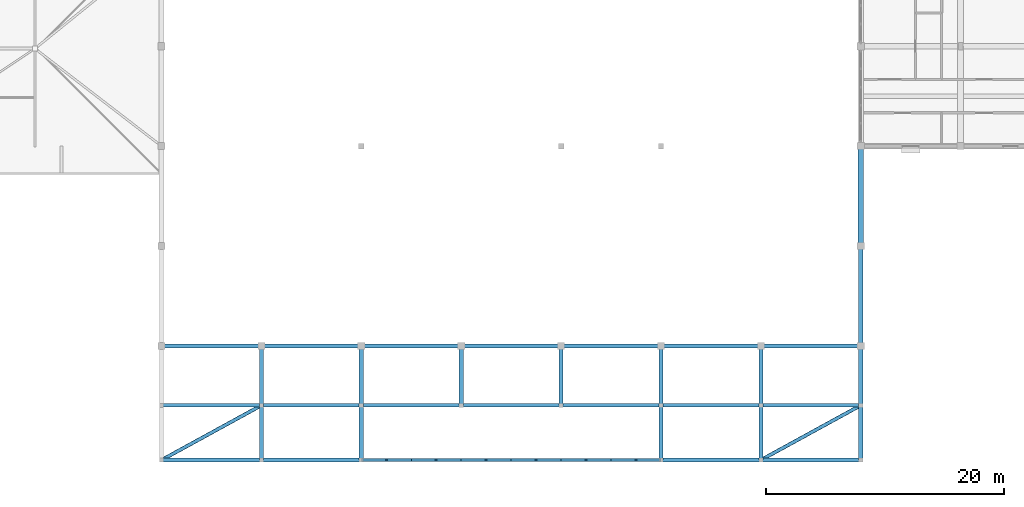
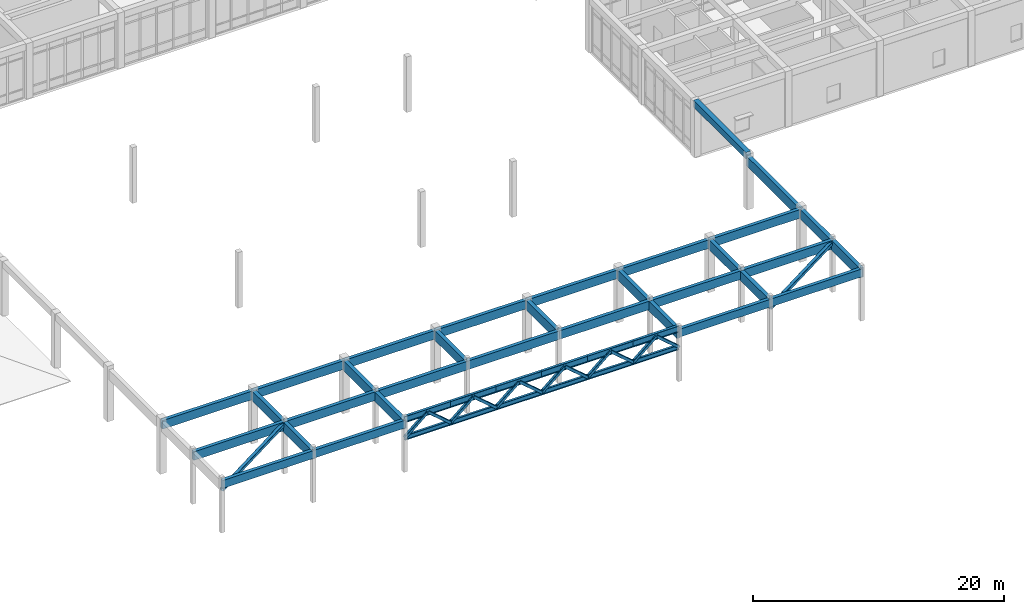
# One storey, part 9 of 89: 44 beams, 14 members.
"""IFC4 building model written with IfcOpenShell, lengths in metres."""

from ifc_helpers import new_model, si_unit, direction, frame, origin, origin_2d, place, context, subcontext, project, spatial, rectangle, hollow_rectangle, i_section, extrude, material, material_profile, profile_set, type_object, element, save


model = new_model("IFC4")

# Units and contexts
model_context = context("Model", 3, precision=1e-05, world=origin(), true_north=direction((0.0, 1.0)))
body_context = subcontext(model_context, "Body", "Model", "MODEL_VIEW")
ifc_project = project(units=[si_unit("LENGTHUNIT", "METRE"), si_unit("AREAUNIT", "SQUARE_METRE"), si_unit("VOLUMEUNIT", "CUBIC_METRE"), si_unit("PLANEANGLEUNIT", "RADIAN"), si_unit("MASSUNIT", "GRAM", prefix="KILO")], contexts=[model_context])

# Site, building, storey
site_placement = place(None, origin())
site = spatial("IfcSite", under=ifc_project, at=site_placement, CompositionType="ELEMENT")
building_placement = place(site_placement, origin())
building = spatial("IfcBuilding", under=site, at=building_placement, Name="Varncliffe General Hospital", CompositionType="ELEMENT")
storey_placement = place(building_placement, frame((0.0, 0.0, 10.800048828125)))
storey = spatial("IfcBuildingStorey", under=building, at=storey_placement, Name="L02", CompositionType="ELEMENT", Elevation=10.800048828125)

# Beams
ifc_material_1 = material(Name="Glulam GL28h (CSA O86 24f-EX, 30 MPa)", Category="wood")
ifc_material_profile_1 = material_profile(ifc_material_1, rectangle(XDim=0.31494140625, YDim=0.760009765625, at=origin_2d()), Name="GL 315x760")
ifc_profile_set_1 = profile_set([ifc_material_profile_1], Name="Glulam GL28h (CSA O86 24f-EX, 30 MPa)")
beam_type_1 = type_object("IfcBeamType", Name="Beam B41 (Ext GL 315x760)", PredefinedType="BEAM", material=ifc_profile_set_1)
beam_1_placement = place(storey_placement, frame((58.800048828125, -2.39990234375, 4.659912109375), z_axis=(1.0, 0.0, 0.0), x_axis=(0.0, 1.0, 0.0)))
element("IfcBeam", 1, at=beam_1_placement, inside=storey, type_object=beam_type_1, Name="L02 Primary Beam B41-1", PredefinedType="BEAM", context=body_context, shape_type="SweptSolid", body=[
    extrude(rectangle(XDim=0.31494140625, YDim=0.760009765625, at=origin_2d()), origin(), (0.0, 0.0, 1.0), 8.39990234375),
])
beam_2_placement = place(storey_placement, frame((67.199951171875, -2.39990234375, 4.659912109375), z_axis=(1.0, 0.0, 0.0), x_axis=(0.0, 1.0, 0.0)))
element("IfcBeam", 2, at=beam_2_placement, inside=storey, type_object=beam_type_1, Name="L02 Primary Beam B41-2", PredefinedType="BEAM", context=body_context, shape_type="SweptSolid", body=[
    extrude(rectangle(XDim=0.31494140625, YDim=0.760009765625, at=origin_2d()), origin(), (0.0, 0.0, 1.0), 8.400146484375),
])
beam_3_placement = place(storey_placement, frame((100.800048828125, -2.39990234375, 4.659912109375), z_axis=(1.0, 0.0, 0.0), x_axis=(0.0, 1.0, 0.0)))
element("IfcBeam", 3, at=beam_3_placement, inside=storey, type_object=beam_type_1, Name="L02 Primary Beam B41-3", PredefinedType="BEAM", context=body_context, shape_type="SweptSolid", body=[
    extrude(rectangle(XDim=0.31494140625, YDim=0.760009765625, at=origin_2d()), origin(), (0.0, 0.0, 1.0), 8.39990234375),
])
beam_4_placement = place(storey_placement, frame((109.199951171875, -2.39990234375, 4.659912109375), z_axis=(1.0, 0.0, 0.0), x_axis=(0.0, 1.0, 0.0)))
element("IfcBeam", 4, at=beam_4_placement, inside=storey, type_object=beam_type_1, Name="L02 Primary Beam B41-4", PredefinedType="BEAM", context=body_context, shape_type="SweptSolid", body=[
    extrude(rectangle(XDim=0.31494140625, YDim=0.760009765625, at=origin_2d()), origin(), (0.0, 0.0, 1.0), 8.400146484375),
])
ifc_material_profile_2 = material_profile(ifc_material_1, rectangle(XDim=0.31494140625, YDim=0.8359375, at=origin_2d()), Name="GL 315x836")
ifc_profile_set_2 = profile_set([ifc_material_profile_2], Name="Glulam GL28h (CSA O86 24f-EX, 30 MPa)")
beam_type_2 = type_object("IfcBeamType", Name="Beam B74 (Int GL 315x836)", PredefinedType="BEAM", material=ifc_profile_set_2)
beam_5_placement = place(storey_placement, frame((58.800048828125, 2.199951171875, 4.6220703125), z_axis=(1.0, 0.0, 0.0), x_axis=(0.0, 1.0, 0.0)))
element("IfcBeam", 5, at=beam_5_placement, inside=storey, type_object=beam_type_2, Name="L02 Primary Beam B74-8", PredefinedType="BEAM", context=body_context, shape_type="SweptSolid", body=[
    extrude(rectangle(XDim=0.31494140625, YDim=0.8359375, at=origin_2d()), origin(), (0.0, 0.0, 1.0), 8.39990234375),
])
beam_6_placement = place(storey_placement, frame((67.199951171875, 2.199951171875, 4.6220703125), z_axis=(1.0, 0.0, 0.0), x_axis=(0.0, 1.0, 0.0)))
element("IfcBeam", 6, at=beam_6_placement, inside=storey, type_object=beam_type_2, Name="L02 Primary Beam B74-9", PredefinedType="BEAM", context=body_context, shape_type="SweptSolid", body=[
    extrude(rectangle(XDim=0.31494140625, YDim=0.8359375, at=origin_2d()), origin(), (0.0, 0.0, 1.0), 8.400146484375),
])
for number, where, z_axis, x_axis, name in (
    (7, (75.60009765625, 2.199951171875, 4.6220703125), (1.0, 0.0, 0.0), (0.0, 1.0, 0.0), "L02 Primary Beam B74-10"),
    (8, (84.0, 2.199951171875, 4.6220703125), (1.0, 0.0, 0.0), (0.0, 1.0, 0.0), "L02 Primary Beam B74-11"),
):
    element("IfcBeam", number, at=place(storey_placement, frame(where, z_axis=z_axis, x_axis=x_axis)), inside=storey, type_object=beam_type_2, Name=name, PredefinedType="BEAM", context=body_context, shape_type="SweptSolid", body=[
        extrude(rectangle(XDim=0.31494140625, YDim=0.8359375, at=origin_2d()), origin(), (0.0, 0.0, 1.0), 8.39990234375),
    ])
beam_7_placement = place(storey_placement, frame((92.39990234375, 2.199951171875, 4.6220703125), z_axis=(1.0, 0.0, 0.0), x_axis=(0.0, 1.0, 0.0)))
element("IfcBeam", 9, at=beam_7_placement, inside=storey, type_object=beam_type_2, Name="L02 Primary Beam B74-12", PredefinedType="BEAM", context=body_context, shape_type="SweptSolid", body=[
    extrude(rectangle(XDim=0.31494140625, YDim=0.8359375, at=origin_2d()), origin(), (0.0, 0.0, 1.0), 8.400146484375),
])
beam_8_placement = place(storey_placement, frame((100.800048828125, 2.199951171875, 4.6220703125), z_axis=(1.0, 0.0, 0.0), x_axis=(0.0, 1.0, 0.0)))
element("IfcBeam", 10, at=beam_8_placement, inside=storey, type_object=beam_type_2, Name="L02 Primary Beam B74-13", PredefinedType="BEAM", context=body_context, shape_type="SweptSolid", body=[
    extrude(rectangle(XDim=0.31494140625, YDim=0.8359375, at=origin_2d()), origin(), (0.0, 0.0, 1.0), 8.39990234375),
])
beam_9_placement = place(storey_placement, frame((109.199951171875, 2.199951171875, 4.6220703125), z_axis=(1.0, 0.0, 0.0), x_axis=(0.0, 1.0, 0.0)))
element("IfcBeam", 11, at=beam_9_placement, inside=storey, type_object=beam_type_2, Name="L02 Primary Beam B74-14", PredefinedType="BEAM", context=body_context, shape_type="SweptSolid", body=[
    extrude(rectangle(XDim=0.31494140625, YDim=0.8359375, at=origin_2d()), origin(), (0.0, 0.0, 1.0), 8.400146484375),
])
beam_10_placement = place(storey_placement, frame((58.800048828125, 7.199951171875, 4.6220703125), z_axis=(1.0, 0.0, 0.0), x_axis=(0.0, 1.0, 0.0)))
element("IfcBeam", 12, at=beam_10_placement, inside=storey, type_object=beam_type_2, Name="L02 Primary Beam B74-15", PredefinedType="BEAM", context=body_context, shape_type="SweptSolid", body=[
    extrude(rectangle(XDim=0.31494140625, YDim=0.8359375, at=origin_2d()), origin(), (0.0, 0.0, 1.0), 8.39990234375),
])
beam_11_placement = place(storey_placement, frame((67.199951171875, 7.199951171875, 4.6220703125), z_axis=(1.0, 0.0, 0.0), x_axis=(0.0, 1.0, 0.0)))
element("IfcBeam", 13, at=beam_11_placement, inside=storey, type_object=beam_type_2, Name="L02 Primary Beam B74-16", PredefinedType="BEAM", context=body_context, shape_type="SweptSolid", body=[
    extrude(rectangle(XDim=0.31494140625, YDim=0.8359375, at=origin_2d()), origin(), (0.0, 0.0, 1.0), 8.400146484375),
])
for number, where, z_axis, x_axis, name in (
    (14, (75.60009765625, 7.199951171875, 4.6220703125), (1.0, 0.0, 0.0), (0.0, 1.0, 0.0), "L02 Primary Beam B74-17"),
    (15, (84.0, 7.199951171875, 4.6220703125), (1.0, 0.0, 0.0), (0.0, 1.0, 0.0), "L02 Primary Beam B74-18"),
):
    element("IfcBeam", number, at=place(storey_placement, frame(where, z_axis=z_axis, x_axis=x_axis)), inside=storey, type_object=beam_type_2, Name=name, PredefinedType="BEAM", context=body_context, shape_type="SweptSolid", body=[
        extrude(rectangle(XDim=0.31494140625, YDim=0.8359375, at=origin_2d()), origin(), (0.0, 0.0, 1.0), 8.39990234375),
    ])
beam_12_placement = place(storey_placement, frame((92.39990234375, 7.199951171875, 4.6220703125), z_axis=(1.0, 0.0, 0.0), x_axis=(0.0, 1.0, 0.0)))
element("IfcBeam", 16, at=beam_12_placement, inside=storey, type_object=beam_type_2, Name="L02 Primary Beam B74-19", PredefinedType="BEAM", context=body_context, shape_type="SweptSolid", body=[
    extrude(rectangle(XDim=0.31494140625, YDim=0.8359375, at=origin_2d()), origin(), (0.0, 0.0, 1.0), 8.400146484375),
])
beam_13_placement = place(storey_placement, frame((100.800048828125, 7.199951171875, 4.6220703125), z_axis=(1.0, 0.0, 0.0), x_axis=(0.0, 1.0, 0.0)))
element("IfcBeam", 17, at=beam_13_placement, inside=storey, type_object=beam_type_2, Name="L02 Primary Beam B74-20", PredefinedType="BEAM", context=body_context, shape_type="SweptSolid", body=[
    extrude(rectangle(XDim=0.31494140625, YDim=0.8359375, at=origin_2d()), origin(), (0.0, 0.0, 1.0), 8.39990234375),
])
beam_14_placement = place(storey_placement, frame((109.199951171875, 7.199951171875, 4.6220703125), z_axis=(1.0, 0.0, 0.0), x_axis=(0.0, 1.0, 0.0)))
element("IfcBeam", 18, at=beam_14_placement, inside=storey, type_object=beam_type_2, Name="L02 Primary Beam B74-21", PredefinedType="BEAM", context=body_context, shape_type="SweptSolid", body=[
    extrude(rectangle(XDim=0.31494140625, YDim=0.8359375, at=origin_2d()), origin(), (0.0, 0.0, 1.0), 8.400146484375),
])
ifc_material_profile_3 = material_profile(ifc_material_1, rectangle(XDim=0.35009765625, YDim=0.949951171875, at=origin_2d()), Name="GL 350x950")
ifc_profile_set_3 = profile_set([ifc_material_profile_3], Name="Glulam GL28h (CSA O86 24f-EX, 30 MPa)")
beam_type_3 = type_object("IfcBeamType", Name="Beam B85 (Ext GL 350x950)", PredefinedType="BEAM", material=ifc_profile_set_3)
beam_15_placement = place(storey_placement, frame((67.199951171875, -2.39990234375, 4.56494140625), z_axis=(0.0, 1.0, 0.0), x_axis=(-1.0, 0.0, 0.0)))
element("IfcBeam", 19, at=beam_15_placement, inside=storey, type_object=beam_type_3, Name="L02 Primary Beam B85-326", PredefinedType="BEAM", context=body_context, shape_type="SweptSolid", body=[
    extrude(rectangle(XDim=0.35009765625, YDim=0.949951171875, at=origin_2d()), origin(), (0.0, 0.0, 1.0), 4.599853515625),
])
beam_16_placement = place(storey_placement, frame((67.199951171875, 2.199951171875, 4.56494140625), z_axis=(0.0, 1.0, 0.0), x_axis=(-1.0, 0.0, 0.0)))
element("IfcBeam", 20, at=beam_16_placement, inside=storey, type_object=beam_type_3, Name="L02 Primary Beam B85-327", PredefinedType="BEAM", context=body_context, shape_type="SweptSolid", body=[
    extrude(rectangle(XDim=0.35009765625, YDim=0.949951171875, at=origin_2d()), origin(), (0.0, 0.0, 1.0), 5.0),
])
beam_17_placement = place(storey_placement, frame((75.60009765625, -2.39990234375, 4.56494140625), z_axis=(0.0, 1.0, 0.0), x_axis=(-1.0, 0.0, 0.0)))
element("IfcBeam", 21, at=beam_17_placement, inside=storey, type_object=beam_type_3, Name="L02 Primary Beam B85-338", PredefinedType="BEAM", context=body_context, shape_type="SweptSolid", body=[
    extrude(rectangle(XDim=0.35009765625, YDim=0.949951171875, at=origin_2d()), origin(), (0.0, 0.0, 1.0), 4.599853515625),
])
for number, where, z_axis, x_axis, name in (
    (22, (75.60009765625, 2.199951171875, 4.56494140625), (0.0, 1.0, 0.0), (-1.0, 0.0, 0.0), "L02 Primary Beam B85-339"),
    (23, (84.0, 2.199951171875, 4.56494140625), (0.0, 1.0, 0.0), (-1.0, 0.0, 0.0), "L02 Primary Beam B85-347"),
    (24, (92.39990234375, 2.199951171875, 4.56494140625), (0.0, 1.0, 0.0), (-1.0, 0.0, 0.0), "L02 Primary Beam B85-355"),
):
    element("IfcBeam", number, at=place(storey_placement, frame(where, z_axis=z_axis, x_axis=x_axis)), inside=storey, type_object=beam_type_3, Name=name, PredefinedType="BEAM", context=body_context, shape_type="SweptSolid", body=[
        extrude(rectangle(XDim=0.35009765625, YDim=0.949951171875, at=origin_2d()), origin(), (0.0, 0.0, 1.0), 5.0),
    ])
beam_18_placement = place(storey_placement, frame((100.800048828125, -2.39990234375, 4.56494140625), z_axis=(0.0, 1.0, 0.0), x_axis=(-1.0, 0.0, 0.0)))
element("IfcBeam", 25, at=beam_18_placement, inside=storey, type_object=beam_type_3, Name="L02 Primary Beam B85-363", PredefinedType="BEAM", context=body_context, shape_type="SweptSolid", body=[
    extrude(rectangle(XDim=0.35009765625, YDim=0.949951171875, at=origin_2d()), origin(), (0.0, 0.0, 1.0), 4.599853515625),
])
beam_19_placement = place(storey_placement, frame((100.800048828125, 2.199951171875, 4.56494140625), z_axis=(0.0, 1.0, 0.0), x_axis=(-1.0, 0.0, 0.0)))
element("IfcBeam", 26, at=beam_19_placement, inside=storey, type_object=beam_type_3, Name="L02 Primary Beam B85-364", PredefinedType="BEAM", context=body_context, shape_type="SweptSolid", body=[
    extrude(rectangle(XDim=0.35009765625, YDim=0.949951171875, at=origin_2d()), origin(), (0.0, 0.0, 1.0), 5.0),
])
beam_20_placement = place(storey_placement, frame((109.199951171875, -2.39990234375, 4.56494140625), z_axis=(0.0, 1.0, 0.0), x_axis=(-1.0, 0.0, 0.0)))
element("IfcBeam", 27, at=beam_20_placement, inside=storey, type_object=beam_type_3, Name="L02 Primary Beam B85-372", PredefinedType="BEAM", context=body_context, shape_type="SweptSolid", body=[
    extrude(rectangle(XDim=0.35009765625, YDim=0.949951171875, at=origin_2d()), origin(), (0.0, 0.0, 1.0), 4.599853515625),
])
beam_21_placement = place(storey_placement, frame((109.199951171875, 2.199951171875, 4.56494140625), z_axis=(0.0, 1.0, 0.0), x_axis=(-1.0, 0.0, 0.0)))
element("IfcBeam", 28, at=beam_21_placement, inside=storey, type_object=beam_type_3, Name="L02 Primary Beam B85-373", PredefinedType="BEAM", context=body_context, shape_type="SweptSolid", body=[
    extrude(rectangle(XDim=0.35009765625, YDim=0.949951171875, at=origin_2d()), origin(), (0.0, 0.0, 1.0), 5.0),
])
beam_22_placement = place(storey_placement, frame((117.60009765625, -2.39990234375, 4.56494140625), z_axis=(0.0, 1.0, 0.0), x_axis=(-1.0, 0.0, 0.0)))
element("IfcBeam", 29, at=beam_22_placement, inside=storey, type_object=beam_type_3, Name="L02 Primary Beam B85-384", PredefinedType="BEAM", context=body_context, shape_type="SweptSolid", body=[
    extrude(rectangle(XDim=0.35009765625, YDim=0.949951171875, at=origin_2d()), origin(), (0.0, 0.0, 1.0), 4.599853515625),
])
beam_23_placement = place(storey_placement, frame((117.60009765625, 2.199951171875, 4.56494140625), z_axis=(0.0, 1.0, 0.0), x_axis=(-1.0, 0.0, 0.0)))
element("IfcBeam", 30, at=beam_23_placement, inside=storey, type_object=beam_type_3, Name="L02 Primary Beam B85-385", PredefinedType="BEAM", context=body_context, shape_type="SweptSolid", body=[
    extrude(rectangle(XDim=0.35009765625, YDim=0.949951171875, at=origin_2d()), origin(), (0.0, 0.0, 1.0), 5.0),
])
beam_24_placement = place(storey_placement, frame((117.60009765625, 7.199951171875, 4.56494140625), z_axis=(0.0, 1.0, 0.0), x_axis=(-1.0, 0.0, 0.0)))
element("IfcBeam", 31, at=beam_24_placement, inside=storey, type_object=beam_type_3, Name="L02 Primary Beam B85-386", PredefinedType="BEAM", context=body_context, shape_type="SweptSolid", body=[
    extrude(rectangle(XDim=0.35009765625, YDim=0.949951171875, at=origin_2d()), origin(), (0.0, 0.0, 1.0), 8.400146484375),
])
ifc_material_2 = material(Name="Steel S355 (CSA G40.21 350W)", Category="steel")
ifc_material_profile_4 = material_profile(ifc_material_2, i_section(OverallWidth=0.22998046875, OverallDepth=0.616943359375, WebThickness=0.01318359375, FlangeThickness=0.022216796875, FilletRadius=0.01611328125, at=origin_2d()), Name="W610x140")
ifc_profile_set_4 = profile_set([ifc_material_profile_4], Name="Steel S355 (CSA G40.21 350W)")
beam_type_4 = type_object("IfcBeamType", Name="Beam B86 (Ext W610x140)", PredefinedType="BEAM", material=ifc_profile_set_4)
for number, where, z_axis, x_axis, name in (
    (32, (75.60009765625, -2.39990234375, 5.050048828125), (1.0, 0.0, 0.0), (0.0, 1.0, 0.0), "Drop-Off Pavilion Truss Top Chord 1"),
    (33, (79.800048828125, -2.39990234375, 5.050048828125), (1.0, 0.0, 0.0), (0.0, 1.0, 0.0), "Drop-Off Pavilion Truss Top Chord 2"),
    (34, (84.0, -2.39990234375, 5.050048828125), (1.0, 0.0, 0.0), (0.0, 1.0, 0.0), "Drop-Off Pavilion Truss Top Chord 3"),
    (35, (88.199951171875, -2.39990234375, 5.050048828125), (1.0, 0.0, 0.0), (0.0, 1.0, 0.0), "Drop-Off Pavilion Truss Top Chord 4"),
):
    element("IfcBeam", number, at=place(storey_placement, frame(where, z_axis=z_axis, x_axis=x_axis)), inside=storey, type_object=beam_type_4, Name=name, PredefinedType="BEAM", context=body_context, shape_type="SweptSolid", body=[
        extrude(i_section(OverallWidth=0.22998046875, OverallDepth=0.616943359375, WebThickness=0.01318359375, FlangeThickness=0.022216796875, FilletRadius=0.01611328125, at=origin_2d()), origin(), (0.0, 0.0, 1.0), 4.199951171875),
    ])
beam_25_placement = place(storey_placement, frame((92.39990234375, -2.39990234375, 5.050048828125), z_axis=(1.0, 0.0, 0.0), x_axis=(0.0, 1.0, 0.0)))
element("IfcBeam", 36, at=beam_25_placement, inside=storey, type_object=beam_type_4, Name="Drop-Off Pavilion Truss Top Chord 5", PredefinedType="BEAM", context=body_context, shape_type="SweptSolid", body=[
    extrude(i_section(OverallWidth=0.22998046875, OverallDepth=0.616943359375, WebThickness=0.01318359375, FlangeThickness=0.022216796875, FilletRadius=0.01611328125, at=origin_2d()), origin(), (0.0, 0.0, 1.0), 4.2001953125),
])
beam_26_placement = place(storey_placement, frame((96.60009765625, -2.39990234375, 5.050048828125), z_axis=(1.0, 0.0, 0.0), x_axis=(0.0, 1.0, 0.0)))
element("IfcBeam", 37, at=beam_26_placement, inside=storey, type_object=beam_type_4, Name="Drop-Off Pavilion Truss Top Chord 6", PredefinedType="BEAM", context=body_context, shape_type="SweptSolid", body=[
    extrude(i_section(OverallWidth=0.22998046875, OverallDepth=0.616943359375, WebThickness=0.01318359375, FlangeThickness=0.022216796875, FilletRadius=0.01611328125, at=origin_2d()), origin(), (0.0, 0.0, 1.0), 4.199951171875),
])
ifc_material_profile_5 = material_profile(ifc_material_2, i_section(OverallWidth=0.19189453125, OverallDepth=0.462890625, WebThickness=0.010498046875, FlangeThickness=0.017578125, FilletRadius=0.012939453125, at=origin_2d()), Name="W460x89")
ifc_profile_set_5 = profile_set([ifc_material_profile_5], Name="Steel S355 (CSA G40.21 350W)")
beam_type_5 = type_object("IfcBeamType", Name="Beam B95 (Ext W460x89)", PredefinedType="BEAM", material=ifc_profile_set_5)
for number, where, z_axis, x_axis, name in (
    (38, (75.60009765625, -2.39990234375, 3.25), (1.0, 0.0, 0.0), (0.0, 1.0, 0.0), "Drop-Off Pavilion Truss Bottom Chord 1"),
    (39, (79.800048828125, -2.39990234375, 3.25), (1.0, 0.0, 0.0), (0.0, 1.0, 0.0), "Drop-Off Pavilion Truss Bottom Chord 2"),
    (40, (84.0, -2.39990234375, 3.25), (1.0, 0.0, 0.0), (0.0, 1.0, 0.0), "Drop-Off Pavilion Truss Bottom Chord 3"),
    (41, (88.199951171875, -2.39990234375, 3.25), (1.0, 0.0, 0.0), (0.0, 1.0, 0.0), "Drop-Off Pavilion Truss Bottom Chord 4"),
):
    element("IfcBeam", number, at=place(storey_placement, frame(where, z_axis=z_axis, x_axis=x_axis)), inside=storey, type_object=beam_type_5, Name=name, PredefinedType="BEAM", context=body_context, shape_type="SweptSolid", body=[
        extrude(i_section(OverallWidth=0.19189453125, OverallDepth=0.462890625, WebThickness=0.010498046875, FlangeThickness=0.017578125, FilletRadius=0.012939453125, at=origin_2d()), origin(), (0.0, 0.0, 1.0), 4.199951171875),
    ])
beam_27_placement = place(storey_placement, frame((92.39990234375, -2.39990234375, 3.25), z_axis=(1.0, 0.0, 0.0), x_axis=(0.0, 1.0, 0.0)))
element("IfcBeam", 42, at=beam_27_placement, inside=storey, type_object=beam_type_5, Name="Drop-Off Pavilion Truss Bottom Chord 5", PredefinedType="BEAM", context=body_context, shape_type="SweptSolid", body=[
    extrude(i_section(OverallWidth=0.19189453125, OverallDepth=0.462890625, WebThickness=0.010498046875, FlangeThickness=0.017578125, FilletRadius=0.012939453125, at=origin_2d()), origin(), (0.0, 0.0, 1.0), 4.2001953125),
])
beam_28_placement = place(storey_placement, frame((96.60009765625, -2.39990234375, 3.25), z_axis=(1.0, 0.0, 0.0), x_axis=(0.0, 1.0, 0.0)))
element("IfcBeam", 43, at=beam_28_placement, inside=storey, type_object=beam_type_5, Name="Drop-Off Pavilion Truss Bottom Chord 6", PredefinedType="BEAM", context=body_context, shape_type="SweptSolid", body=[
    extrude(i_section(OverallWidth=0.19189453125, OverallDepth=0.462890625, WebThickness=0.010498046875, FlangeThickness=0.017578125, FilletRadius=0.012939453125, at=origin_2d()), origin(), (0.0, 0.0, 1.0), 4.199951171875),
])

# Members
ifc_material_profile_6 = material_profile(ifc_material_2, hollow_rectangle(XDim=0.25390625, YDim=0.25390625, WallThickness=0.010986328125, InnerFilletRadius=0.010986328125, OuterFilletRadius=0.02197265625, at=origin_2d()), Name="HSS 254x254x11")
ifc_profile_set_6 = profile_set([ifc_material_profile_6], Name="Steel S355 (CSA G40.21 350W)")
member_type_1 = type_object("IfcMemberType", Name="Member MB76 (BRACE Ext HSS 254x254x11)", PredefinedType="BRACE", material=ifc_profile_set_6)
for number, where, z_axis, x_axis, name in (
    (44, (75.60009765625, -2.39990234375, 3.25), (0.759225446755, 0.0, 0.650827719907), (0.0, 1.0, 0.0), "Drop-Off Pavilion Truss Web Diagonal 1"),
    (45, (77.699951171875, -2.39990234375, 5.050048828125), (0.759262832861, 0.0, -0.650784104474), (0.0, 1.0, 0.0), "Drop-Off Pavilion Truss Web Diagonal 2"),
    (46, (79.800048828125, -2.39990234375, 3.25), (0.759225446755, 0.0, 0.650827719907), (0.0, 1.0, 0.0), "Drop-Off Pavilion Truss Web Diagonal 3"),
    (47, (81.89990234375, -2.39990234375, 5.050048828125), (0.759262832861, 0.0, -0.650784104474), (0.0, 1.0, 0.0), "Drop-Off Pavilion Truss Web Diagonal 4"),
    (48, (84.0, -2.39990234375, 3.25), (0.759262832861, 0.0, 0.650784104474), (0.0, 1.0, 0.0), "Drop-Off Pavilion Truss Web Diagonal 5"),
    (49, (86.10009765625, -2.39990234375, 5.050048828125), (0.759225446755, 0.0, -0.650827719907), (0.0, 1.0, 0.0), "Drop-Off Pavilion Truss Web Diagonal 6"),
    (50, (88.199951171875, -2.39990234375, 3.25), (0.759262832861, 0.0, 0.650784104474), (0.0, 1.0, 0.0), "Drop-Off Pavilion Truss Web Diagonal 7"),
    (51, (90.300048828125, -2.39990234375, 5.050048828125), (0.759225446755, 0.0, -0.650827719907), (0.0, 1.0, 0.0), "Drop-Off Pavilion Truss Web Diagonal 8"),
    (52, (92.39990234375, -2.39990234375, 3.25), (0.759262832861, 0.0, 0.650784104474), (0.0, 1.0, 0.0), "Drop-Off Pavilion Truss Web Diagonal 9"),
    (53, (94.5, -2.39990234375, 5.050048828125), (0.759262832861, 0.0, -0.650784104474), (0.0, 1.0, 0.0), "Drop-Off Pavilion Truss Web Diagonal 10"),
    (54, (96.60009765625, -2.39990234375, 3.25), (0.759225446755, 0.0, 0.650827719907), (0.0, 1.0, 0.0), "Drop-Off Pavilion Truss Web Diagonal 11"),
    (55, (98.699951171875, -2.39990234375, 5.050048828125), (0.759262832861, 0.0, -0.650784104474), (0.0, 1.0, 0.0), "Drop-Off Pavilion Truss Web Diagonal 12"),
):
    element("IfcMember", number, at=place(storey_placement, frame(where, z_axis=z_axis, x_axis=x_axis)), inside=storey, type_object=member_type_1, Name=name, PredefinedType="BRACE", context=body_context, shape_type="SweptSolid", body=[
        extrude(hollow_rectangle(XDim=0.25390625, YDim=0.25390625, WallThickness=0.010986328125, InnerFilletRadius=0.010986328125, OuterFilletRadius=0.02197265625, at=origin_2d()), origin(), (0.0, 0.0, 1.0), 2.765869140625),
    ])
ifc_material_profile_7 = material_profile(ifc_material_2, hollow_rectangle(XDim=0.304931640625, YDim=0.304931640625, WallThickness=0.0126953125, InnerFilletRadius=0.012939453125, OuterFilletRadius=0.02490234375, at=origin_2d()), Name="HSS 305x305x13")
ifc_profile_set_7 = profile_set([ifc_material_profile_7], Name="Steel S355 (CSA G40.21 350W)")
member_type_2 = type_object("IfcMemberType", Name="Member MB77 (BRACE Ext HSS 305x305x13)", PredefinedType="BRACE", material=ifc_profile_set_7)
member_1_placement = place(storey_placement, frame((58.800048828125, -2.39990234375, 4.099853515625), z_axis=(0.874765445004, 0.479028534247, 0.072918307745), x_axis=(-0.480307151821, 0.877100359087, 0.0)))
element("IfcMember", 56, at=member_1_placement, inside=storey, type_object=member_type_2, Name="L02 Colonnade Lateral Plane Wind Brace 1", PredefinedType="BRACE", context=body_context, shape_type="SweptSolid", body=[
    extrude(hollow_rectangle(XDim=0.304931640625, YDim=0.304931640625, WallThickness=0.0126953125, InnerFilletRadius=0.012939453125, OuterFilletRadius=0.02490234375, at=origin_2d()), origin(), (0.0, 0.0, 1.0), 9.6025390625),
])
member_2_placement = place(storey_placement, frame((109.199951171875, -2.39990234375, 4.099853515625), z_axis=(0.874771414175, 0.479017880503, 0.072916686019), x_axis=(-0.48029641254, 0.877106239917, 0.0)))
element("IfcMember", 57, at=member_2_placement, inside=storey, type_object=member_type_2, Name="L02 Colonnade Lateral Plane Wind Brace 2", PredefinedType="BRACE", context=body_context, shape_type="SweptSolid", body=[
    extrude(hollow_rectangle(XDim=0.304931640625, YDim=0.304931640625, WallThickness=0.0126953125, InnerFilletRadius=0.012939453125, OuterFilletRadius=0.02490234375, at=origin_2d()), origin(), (0.0, 0.0, 1.0), 9.602783203125),
])

# Beam
ifc_material_3 = material(Name="Concrete C35/45 (CSA A23.1 35 MPa)", Category="concrete")
ifc_material_profile_8 = material_profile(ifc_material_3, rectangle(XDim=0.449951171875, YDim=0.64990234375, at=origin_2d()), Name="RC 450x650")
ifc_profile_set_8 = profile_set([ifc_material_profile_8], Name="Concrete C35/45 (CSA A23.1 35 MPa)")
beam_type_6 = type_object("IfcBeamType", Name="Spandrel SP38 (Ext RC 450x650B)", PredefinedType="SPANDREL", material=ifc_profile_set_8)
beam_29_placement = place(storey_placement, frame((117.60009765625, 15.60009765625, 5.074951171875), z_axis=(0.0, 1.0, 0.0), x_axis=(-1.0, 0.0, 0.0)))
element("IfcBeam", 58, at=beam_29_placement, inside=storey, type_object=beam_type_6, Name="L02 Spandrel Beam SP38-387", PredefinedType="SPANDREL", context=body_context, shape_type="SweptSolid", body=[
    extrude(rectangle(XDim=0.449951171875, YDim=0.64990234375, at=origin_2d()), origin(), (0.0, 0.0, 1.0), 8.39990234375),
])

save(model, "model.ifc")
